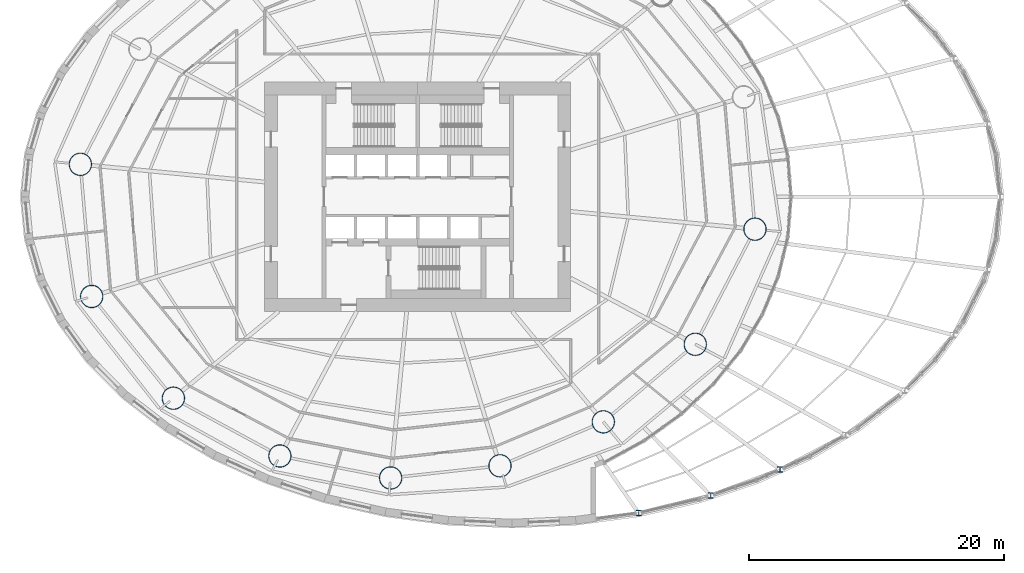
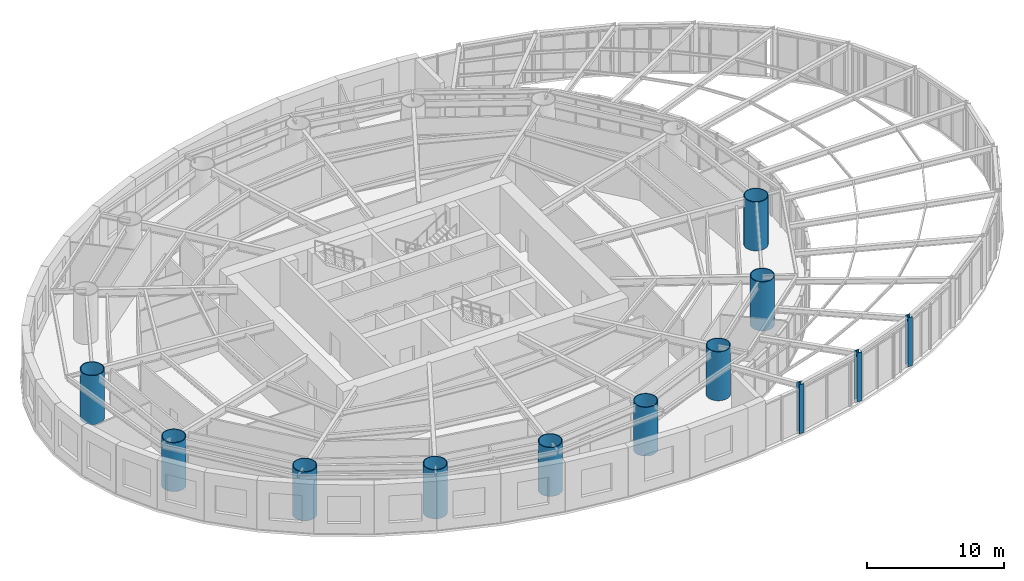
# One storey, part 1 of 23: 12 columns.
"""IFC4 building model written with IfcOpenShell, lengths in metres."""

from ifc_helpers import new_model, si_unit, direction, frame, origin, origin_2d, place, context, subcontext, project, spatial, hollow_circle, i_section, extrude, material, material_profile, profile_set, type_object, element, save


model = new_model("IFC4")

# Units and contexts
model_context = context("Model", 3, precision=1e-05, world=origin(), true_north=direction((0.0, 1.0)))
body_context = subcontext(model_context, "Body", "Model", "MODEL_VIEW")
ifc_project = project(units=[si_unit("LENGTHUNIT", "METRE"), si_unit("AREAUNIT", "SQUARE_METRE"), si_unit("VOLUMEUNIT", "CUBIC_METRE"), si_unit("PLANEANGLEUNIT", "RADIAN"), si_unit("MASSUNIT", "GRAM", prefix="KILO")], contexts=[model_context])

# Site, building, storey
site_placement = place(None, origin())
site = spatial("IfcSite", under=ifc_project, at=site_placement, CompositionType="ELEMENT")
building_placement = place(site_placement, origin())
building = spatial("IfcBuilding", under=site, at=building_placement, Name="Vermilion Reach Broadcast Tower", CompositionType="ELEMENT")
storey_placement = place(building_placement, frame((0.0, 0.0, 31.5)))
storey = spatial("IfcBuildingStorey", under=building, at=storey_placement, Name="L04", CompositionType="ELEMENT", Elevation=31.5)

# Columns
ifc_material_1 = material(Name="Steel S460NL", Category="steel")
ifc_material_profile_1 = material_profile(ifc_material_1, i_section(OverallWidth=0.406982421875, OverallDepth=0.427978515625, WebThickness=0.02001953125, FlangeThickness=0.034912109375, at=origin_2d()), Name="S460NL HW 428x407x20x35")
ifc_profile_set_1 = profile_set([ifc_material_profile_1], Name="Steel S460NL")
column_type_1 = type_object("IfcColumnType", Name="AP HW 428x407x20x35", PredefinedType="COLUMN", material=ifc_profile_set_1)
for number, where, z_axis, x_axis, name in (
    (1, (11.337158203125, -24.81884765625, 0.0), (0.0, 0.0, 1.0), (1.0, 0.0, 0.0), "Atrium post AP01"),
    (2, (16.984619140625, -23.43505859375, 0.0), (0.0, 0.0, 1.0), (1.0, 0.0, 0.0), "Atrium post AP02"),
    (3, (22.43115234375, -21.408935546875, 0.0), (0.0, 0.0, 1.0), (1.0, 0.0, 0.0), "Atrium post AP03"),
):
    element("IfcColumn", number, at=place(storey_placement, frame(where, z_axis=z_axis, x_axis=x_axis)), inside=storey, type_object=column_type_1, Name=name, PredefinedType="COLUMN", context=body_context, shape_type="SweptSolid", body=[
        extrude(i_section(OverallWidth=0.406982421875, OverallDepth=0.427978515625, WebThickness=0.02001953125, FlangeThickness=0.034912109375, at=origin_2d()), origin(), (0.0, 0.0, 1.0), 4.35009765625),
    ])
ifc_material_2 = material(Name="Concrete C80 infill in steel S460NL tube", Category="concrete")
ifc_material_profile_2 = material_profile(ifc_material_2, hollow_circle(Radius=0.89990234375, WallThickness=0.06005859375, at=origin_2d()), Name="Concrete C80 infill in steel S460NL tube CFT 1800x60")
ifc_profile_set_2 = profile_set([ifc_material_profile_2], Name="Concrete C80 infill in steel S460NL tube")
column_type_2 = type_object("IfcColumnType", Name="MC1 CFT 1800x60", PredefinedType="COLUMN", material=ifc_profile_set_2)
for number, where, z_axis, x_axis, name in (
    (4, (-32.464111328125, 2.54345703125, 0.0), (0.0, 0.0, 1.0), (1.0, 0.0, 0.0), "Mega-column MC1-08"),
    (5, (-31.575439453125, -7.823974609375, 0.0), (0.0, 0.0, 1.0), (1.0, 0.0, 0.0), "Mega-column MC1-09"),
    (6, (-25.166259765625, -15.804931640625, 0.0), (0.0, 0.0, 1.0), (1.0, 0.0, 0.0), "Mega-column MC1-10"),
    (7, (-16.809814453125, -20.3388671875, 0.0), (0.0, 0.0, 1.0), (1.0, 0.0, 0.0), "Mega-column MC1-11"),
    (8, (-8.12060546875, -22.06396484375, 0.0), (0.0, 0.0, 1.0), (1.0, 0.0, 0.0), "Mega-column MC1-12"),
    (9, (0.45751953125, -21.108154296875, 0.0), (0.0, 0.0, 1.0), (1.0, 0.0, 0.0), "Mega-column MC1-13"),
    (10, (8.563232421875, -17.660400390625, 0.0), (0.0, 0.0, 1.0), (1.0, 0.0, 0.0), "Mega-column MC1-14"),
    (11, (15.77978515625, -11.57568359375, 0.0), (0.0, 0.0, 1.0), (1.0, 0.0, 0.0), "Mega-column MC1-15"),
    (12, (20.464111328125, -2.54345703125, 0.0), (0.0, 0.0, 1.0), (1.0, 0.0, 0.0), "Mega-column MC1-16"),
):
    element("IfcColumn", number, at=place(storey_placement, frame(where, z_axis=z_axis, x_axis=x_axis)), inside=storey, type_object=column_type_2, Name=name, PredefinedType="COLUMN", context=body_context, shape_type="SweptSolid", body=[
        extrude(hollow_circle(Radius=0.89990234375, WallThickness=0.06005859375, at=origin_2d()), origin(), (0.0, 0.0, 1.0), 4.35009765625),
    ])

save(model, "model.ifc")
